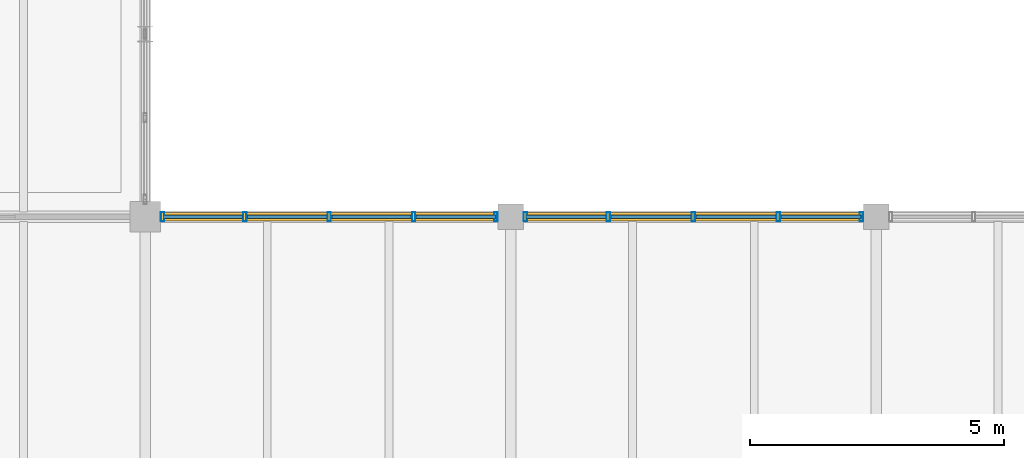
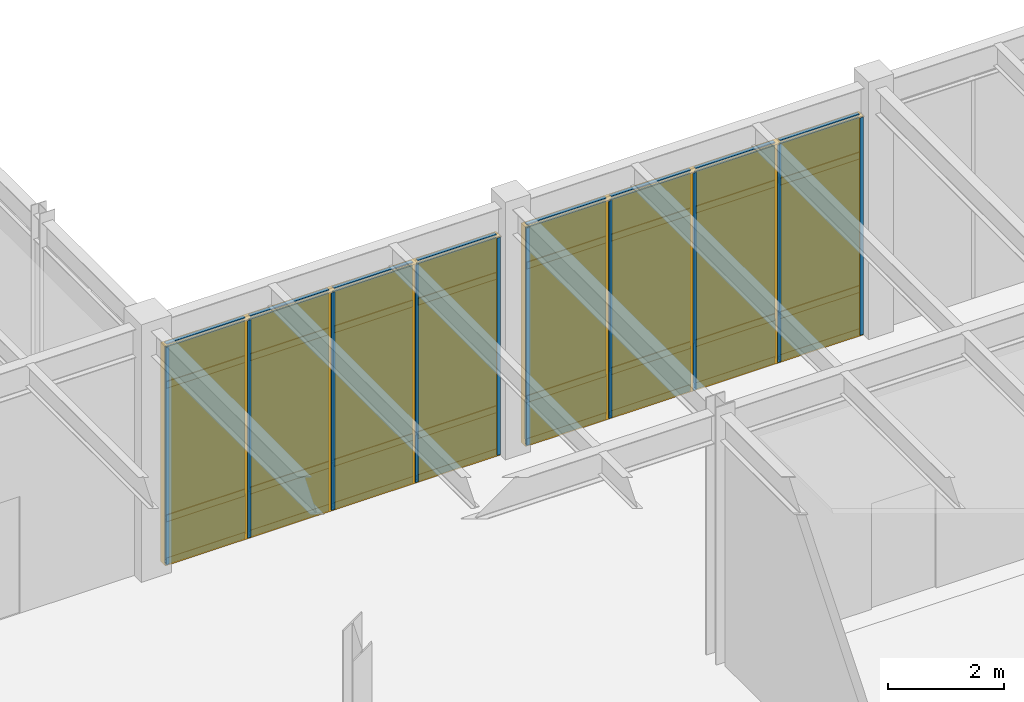
# One storey, part 77 of 97: 42 members, 16 plates, 2 curtain walls.
"""IFC4 building model written with IfcOpenShell, lengths in metres."""

from ifc_helpers import new_model, si_unit, direction, frame, origin, origin_2d, place, context, subcontext, project, spatial, rectangle, hollow_rectangle, extrude, material, layer, layer_set, material_profile, profile_set, type_object, element, aggregate, save


model = new_model("IFC4")

# Units and contexts
model_context = context("Model", 3, precision=1e-05, world=origin(), true_north=direction((0.0, 1.0)))
body_context = subcontext(model_context, "Body", "Model", "MODEL_VIEW")
ifc_project = project(units=[si_unit("LENGTHUNIT", "METRE"), si_unit("AREAUNIT", "SQUARE_METRE"), si_unit("VOLUMEUNIT", "CUBIC_METRE"), si_unit("PLANEANGLEUNIT", "RADIAN"), si_unit("MASSUNIT", "GRAM", prefix="KILO")], contexts=[model_context])

# Member
ifc_material_1 = material(Name="Anodized Aluminium 6063-T6", Category="aluminium")
ifc_material_profile_1 = material_profile(ifc_material_1, hollow_rectangle(XDim=0.06494140625, YDim=0.179931640625, WallThickness=0.00390625, at=origin_2d()), Name="ALU 65x180x4")
ifc_profile_set_1 = profile_set([ifc_material_profile_1], Name="Anodized Aluminium 6063-T6")
member_type_1 = type_object("IfcMemberType", Name="CWM-65X150", PredefinedType="MULLION", material=ifc_profile_set_1)
site_placement = place(None, origin())
building_placement = place(site_placement, origin())
storey_placement = place(building_placement, origin())
member_1_placement = place(storey_placement, frame((144.340087890625, 28.800048828125, 0.02001953125), z_axis=(0.0, 0.0, 1.0), x_axis=(1.0, 0.0, 0.0)))
member_1 = element("IfcMember", 1, at=member_1_placement, type_object=member_type_1, Name="Curtain wall mullion CW-L01-20-03-N-00", PredefinedType="MULLION", context=body_context, shape_type="SweptSolid", body=[
    extrude(hollow_rectangle(XDim=0.06494140625, YDim=0.179931640625, WallThickness=0.00390625, at=origin_2d()), origin(), (0.0, 0.0, 1.0), 4.557861328125),
])

member_2_placement = place(storey_placement, frame((145.96240234375, 28.800048828125, 0.02001953125), z_axis=(0.0, 0.0, 1.0), x_axis=(1.0, 0.0, 0.0)))
member_2 = element("IfcMember", 2, at=member_2_placement, type_object=member_type_1, Name="Curtain wall mullion CW-L01-20-03-N-01", PredefinedType="MULLION", context=body_context, shape_type="SweptSolid", body=[
    extrude(hollow_rectangle(XDim=0.06494140625, YDim=0.179931640625, WallThickness=0.00390625, at=origin_2d()), origin(), (0.0, 0.0, 1.0), 4.557861328125),
])

member_3_placement = place(storey_placement, frame((147.625, 28.800048828125, 0.02001953125), z_axis=(0.0, 0.0, 1.0), x_axis=(1.0, 0.0, 0.0)))
member_3 = element("IfcMember", 3, at=member_3_placement, type_object=member_type_1, Name="Curtain wall mullion CW-L01-20-03-N-02", PredefinedType="MULLION", context=body_context, shape_type="SweptSolid", body=[
    extrude(hollow_rectangle(XDim=0.06494140625, YDim=0.179931640625, WallThickness=0.00390625, at=origin_2d()), origin(), (0.0, 0.0, 1.0), 4.557861328125),
])

member_4_placement = place(storey_placement, frame((149.28759765625, 28.800048828125, 0.02001953125), z_axis=(0.0, 0.0, 1.0), x_axis=(1.0, 0.0, 0.0)))
member_4 = element("IfcMember", 4, at=member_4_placement, type_object=member_type_1, Name="Curtain wall mullion CW-L01-20-03-N-03", PredefinedType="MULLION", context=body_context, shape_type="SweptSolid", body=[
    extrude(hollow_rectangle(XDim=0.06494140625, YDim=0.179931640625, WallThickness=0.00390625, at=origin_2d()), origin(), (0.0, 0.0, 1.0), 4.557861328125),
])

member_5_placement = place(storey_placement, frame((150.909912109375, 28.800048828125, 0.02001953125), z_axis=(0.0, 0.0, 1.0), x_axis=(1.0, 0.0, 0.0)))
member_5 = element("IfcMember", 5, at=member_5_placement, type_object=member_type_1, Name="Curtain wall mullion CW-L01-20-03-N-04", PredefinedType="MULLION", context=body_context, shape_type="SweptSolid", body=[
    extrude(hollow_rectangle(XDim=0.06494140625, YDim=0.179931640625, WallThickness=0.00390625, at=origin_2d()), origin(), (0.0, 0.0, 1.0), 4.557861328125),
])

member_6_placement = place(storey_placement, frame((151.489990234375, 28.800048828125, 0.02001953125), z_axis=(0.0, 0.0, 1.0), x_axis=(1.0, 0.0, 0.0)))
member_6 = element("IfcMember", 6, at=member_6_placement, type_object=member_type_1, Name="Curtain wall mullion CW-L01-21-03-N-00", PredefinedType="MULLION", context=body_context, shape_type="SweptSolid", body=[
    extrude(hollow_rectangle(XDim=0.06494140625, YDim=0.179931640625, WallThickness=0.00390625, at=origin_2d()), origin(), (0.0, 0.0, 1.0), 4.557861328125),
])

member_7_placement = place(storey_placement, frame((153.125, 28.800048828125, 0.02001953125), z_axis=(0.0, 0.0, 1.0), x_axis=(1.0, 0.0, 0.0)))
member_7 = element("IfcMember", 7, at=member_7_placement, type_object=member_type_1, Name="Curtain wall mullion CW-L01-21-03-N-01", PredefinedType="MULLION", context=body_context, shape_type="SweptSolid", body=[
    extrude(hollow_rectangle(XDim=0.06494140625, YDim=0.179931640625, WallThickness=0.00390625, at=origin_2d()), origin(), (0.0, 0.0, 1.0), 4.557861328125),
])

member_8_placement = place(storey_placement, frame((154.800048828125, 28.800048828125, 0.02001953125), z_axis=(0.0, 0.0, 1.0), x_axis=(1.0, 0.0, 0.0)))
member_8 = element("IfcMember", 8, at=member_8_placement, type_object=member_type_1, Name="Curtain wall mullion CW-L01-21-03-N-02", PredefinedType="MULLION", context=body_context, shape_type="SweptSolid", body=[
    extrude(hollow_rectangle(XDim=0.06494140625, YDim=0.179931640625, WallThickness=0.00390625, at=origin_2d()), origin(), (0.0, 0.0, 1.0), 4.557861328125),
])

member_9_placement = place(storey_placement, frame((156.47509765625, 28.800048828125, 0.02001953125), z_axis=(0.0, 0.0, 1.0), x_axis=(1.0, 0.0, 0.0)))
member_9 = element("IfcMember", 9, at=member_9_placement, type_object=member_type_1, Name="Curtain wall mullion CW-L01-21-03-N-03", PredefinedType="MULLION", context=body_context, shape_type="SweptSolid", body=[
    extrude(hollow_rectangle(XDim=0.06494140625, YDim=0.179931640625, WallThickness=0.00390625, at=origin_2d()), origin(), (0.0, 0.0, 1.0), 4.557861328125),
])

member_10_placement = place(storey_placement, frame((158.110107421875, 28.800048828125, 0.02001953125), z_axis=(0.0, 0.0, 1.0), x_axis=(1.0, 0.0, 0.0)))
member_10 = element("IfcMember", 10, at=member_10_placement, type_object=member_type_1, Name="Curtain wall mullion CW-L01-21-03-N-04", PredefinedType="MULLION", context=body_context, shape_type="SweptSolid", body=[
    extrude(hollow_rectangle(XDim=0.06494140625, YDim=0.179931640625, WallThickness=0.00390625, at=origin_2d()), origin(), (0.0, 0.0, 1.0), 4.557861328125),
])

ifc_material_profile_2 = material_profile(ifc_material_1, hollow_rectangle(XDim=0.06494140625, YDim=0.139892578125, WallThickness=0.00390625, at=origin_2d()), Name="ALU 65x140x4")
ifc_profile_set_2 = profile_set([ifc_material_profile_2], Name="Anodized Aluminium 6063-T6")
member_type_2 = type_object("IfcMemberType", Name="CWT-65X120", PredefinedType="USERDEFINED", material=ifc_profile_set_2)
member_11_placement = place(storey_placement, frame((144.35009765625, 28.800048828125, 0.050048828125), z_axis=(1.0, 0.0, 0.0), x_axis=(0.0, 1.0, 0.0)))
member_11 = element("IfcMember", 11, at=member_11_placement, type_object=member_type_2, Name="Curtain wall transom CW-L01-20-03-N-1.01", ObjectType="TRANSOM", PredefinedType="USERDEFINED", context=body_context, shape_type="SweptSolid", body=[
    extrude(hollow_rectangle(XDim=0.06494140625, YDim=0.139892578125, WallThickness=0.00390625, at=origin_2d()), origin(), (0.0, 0.0, 1.0), 1.5625),
])

member_12_placement = place(storey_placement, frame((146.012451171875, 28.800048828125, 0.050048828125), z_axis=(1.0, 0.0, 0.0), x_axis=(0.0, 1.0, 0.0)))
member_12 = element("IfcMember", 12, at=member_12_placement, type_object=member_type_2, Name="Curtain wall transom CW-L01-20-03-N-1.02", ObjectType="TRANSOM", PredefinedType="USERDEFINED", context=body_context, shape_type="SweptSolid", body=[
    extrude(hollow_rectangle(XDim=0.06494140625, YDim=0.139892578125, WallThickness=0.00390625, at=origin_2d()), origin(), (0.0, 0.0, 1.0), 1.5625),
])

member_13_placement = place(storey_placement, frame((147.675048828125, 28.800048828125, 0.050048828125), z_axis=(1.0, 0.0, 0.0), x_axis=(0.0, 1.0, 0.0)))
member_13 = element("IfcMember", 13, at=member_13_placement, type_object=member_type_2, Name="Curtain wall transom CW-L01-20-03-N-1.03", ObjectType="TRANSOM", PredefinedType="USERDEFINED", context=body_context, shape_type="SweptSolid", body=[
    extrude(hollow_rectangle(XDim=0.06494140625, YDim=0.139892578125, WallThickness=0.00390625, at=origin_2d()), origin(), (0.0, 0.0, 1.0), 1.5625),
])

member_14_placement = place(storey_placement, frame((149.33740234375, 28.800048828125, 0.050048828125), z_axis=(1.0, 0.0, 0.0), x_axis=(0.0, 1.0, 0.0)))
member_14 = element("IfcMember", 14, at=member_14_placement, type_object=member_type_2, Name="Curtain wall transom CW-L01-20-03-N-1.04", ObjectType="TRANSOM", PredefinedType="USERDEFINED", context=body_context, shape_type="SweptSolid", body=[
    extrude(hollow_rectangle(XDim=0.06494140625, YDim=0.139892578125, WallThickness=0.00390625, at=origin_2d()), origin(), (0.0, 0.0, 1.0), 1.5625),
])

member_15_placement = place(storey_placement, frame((144.35009765625, 28.800048828125, 0.949951171875), z_axis=(1.0, 0.0, 0.0), x_axis=(0.0, 1.0, 0.0)))
member_15 = element("IfcMember", 15, at=member_15_placement, type_object=member_type_2, Name="Curtain wall transom CW-L01-20-03-N-2.01", ObjectType="TRANSOM", PredefinedType="USERDEFINED", context=body_context, shape_type="SweptSolid", body=[
    extrude(hollow_rectangle(XDim=0.06494140625, YDim=0.139892578125, WallThickness=0.00390625, at=origin_2d()), origin(), (0.0, 0.0, 1.0), 1.5625),
])

member_16_placement = place(storey_placement, frame((146.012451171875, 28.800048828125, 0.949951171875), z_axis=(1.0, 0.0, 0.0), x_axis=(0.0, 1.0, 0.0)))
member_16 = element("IfcMember", 16, at=member_16_placement, type_object=member_type_2, Name="Curtain wall transom CW-L01-20-03-N-2.02", ObjectType="TRANSOM", PredefinedType="USERDEFINED", context=body_context, shape_type="SweptSolid", body=[
    extrude(hollow_rectangle(XDim=0.06494140625, YDim=0.139892578125, WallThickness=0.00390625, at=origin_2d()), origin(), (0.0, 0.0, 1.0), 1.5625),
])

member_17_placement = place(storey_placement, frame((147.675048828125, 28.800048828125, 0.949951171875), z_axis=(1.0, 0.0, 0.0), x_axis=(0.0, 1.0, 0.0)))
member_17 = element("IfcMember", 17, at=member_17_placement, type_object=member_type_2, Name="Curtain wall transom CW-L01-20-03-N-2.03", ObjectType="TRANSOM", PredefinedType="USERDEFINED", context=body_context, shape_type="SweptSolid", body=[
    extrude(hollow_rectangle(XDim=0.06494140625, YDim=0.139892578125, WallThickness=0.00390625, at=origin_2d()), origin(), (0.0, 0.0, 1.0), 1.5625),
])

member_18_placement = place(storey_placement, frame((149.33740234375, 28.800048828125, 0.949951171875), z_axis=(1.0, 0.0, 0.0), x_axis=(0.0, 1.0, 0.0)))
member_18 = element("IfcMember", 18, at=member_18_placement, type_object=member_type_2, Name="Curtain wall transom CW-L01-20-03-N-2.04", ObjectType="TRANSOM", PredefinedType="USERDEFINED", context=body_context, shape_type="SweptSolid", body=[
    extrude(hollow_rectangle(XDim=0.06494140625, YDim=0.139892578125, WallThickness=0.00390625, at=origin_2d()), origin(), (0.0, 0.0, 1.0), 1.5625),
])

member_19_placement = place(storey_placement, frame((144.35009765625, 28.800048828125, 3.748046875), z_axis=(1.0, 0.0, 0.0), x_axis=(0.0, 1.0, 0.0)))
member_19 = element("IfcMember", 19, at=member_19_placement, type_object=member_type_2, Name="Curtain wall transom CW-L01-20-03-N-3.01", ObjectType="TRANSOM", PredefinedType="USERDEFINED", context=body_context, shape_type="SweptSolid", body=[
    extrude(hollow_rectangle(XDim=0.06494140625, YDim=0.139892578125, WallThickness=0.00390625, at=origin_2d()), origin(), (0.0, 0.0, 1.0), 1.5625),
])

member_20_placement = place(storey_placement, frame((146.012451171875, 28.800048828125, 3.748046875), z_axis=(1.0, 0.0, 0.0), x_axis=(0.0, 1.0, 0.0)))
member_20 = element("IfcMember", 20, at=member_20_placement, type_object=member_type_2, Name="Curtain wall transom CW-L01-20-03-N-3.02", ObjectType="TRANSOM", PredefinedType="USERDEFINED", context=body_context, shape_type="SweptSolid", body=[
    extrude(hollow_rectangle(XDim=0.06494140625, YDim=0.139892578125, WallThickness=0.00390625, at=origin_2d()), origin(), (0.0, 0.0, 1.0), 1.5625),
])

member_21_placement = place(storey_placement, frame((147.675048828125, 28.800048828125, 3.748046875), z_axis=(1.0, 0.0, 0.0), x_axis=(0.0, 1.0, 0.0)))
member_21 = element("IfcMember", 21, at=member_21_placement, type_object=member_type_2, Name="Curtain wall transom CW-L01-20-03-N-3.03", ObjectType="TRANSOM", PredefinedType="USERDEFINED", context=body_context, shape_type="SweptSolid", body=[
    extrude(hollow_rectangle(XDim=0.06494140625, YDim=0.139892578125, WallThickness=0.00390625, at=origin_2d()), origin(), (0.0, 0.0, 1.0), 1.5625),
])

member_22_placement = place(storey_placement, frame((149.33740234375, 28.800048828125, 3.748046875), z_axis=(1.0, 0.0, 0.0), x_axis=(0.0, 1.0, 0.0)))
member_22 = element("IfcMember", 22, at=member_22_placement, type_object=member_type_2, Name="Curtain wall transom CW-L01-20-03-N-3.04", ObjectType="TRANSOM", PredefinedType="USERDEFINED", context=body_context, shape_type="SweptSolid", body=[
    extrude(hollow_rectangle(XDim=0.06494140625, YDim=0.139892578125, WallThickness=0.00390625, at=origin_2d()), origin(), (0.0, 0.0, 1.0), 1.5625),
])

member_23_placement = place(storey_placement, frame((144.35009765625, 28.800048828125, 4.548095703125), z_axis=(1.0, 0.0, 0.0), x_axis=(0.0, 1.0, 0.0)))
member_23 = element("IfcMember", 23, at=member_23_placement, type_object=member_type_2, Name="Curtain wall transom CW-L01-20-03-N-4.01", ObjectType="TRANSOM", PredefinedType="USERDEFINED", context=body_context, shape_type="SweptSolid", body=[
    extrude(hollow_rectangle(XDim=0.06494140625, YDim=0.139892578125, WallThickness=0.00390625, at=origin_2d()), origin(), (0.0, 0.0, 1.0), 1.5625),
])

member_24_placement = place(storey_placement, frame((146.012451171875, 28.800048828125, 4.548095703125), z_axis=(1.0, 0.0, 0.0), x_axis=(0.0, 1.0, 0.0)))
member_24 = element("IfcMember", 24, at=member_24_placement, type_object=member_type_2, Name="Curtain wall transom CW-L01-20-03-N-4.02", ObjectType="TRANSOM", PredefinedType="USERDEFINED", context=body_context, shape_type="SweptSolid", body=[
    extrude(hollow_rectangle(XDim=0.06494140625, YDim=0.139892578125, WallThickness=0.00390625, at=origin_2d()), origin(), (0.0, 0.0, 1.0), 1.5625),
])

member_25_placement = place(storey_placement, frame((147.675048828125, 28.800048828125, 4.548095703125), z_axis=(1.0, 0.0, 0.0), x_axis=(0.0, 1.0, 0.0)))
member_25 = element("IfcMember", 25, at=member_25_placement, type_object=member_type_2, Name="Curtain wall transom CW-L01-20-03-N-4.03", ObjectType="TRANSOM", PredefinedType="USERDEFINED", context=body_context, shape_type="SweptSolid", body=[
    extrude(hollow_rectangle(XDim=0.06494140625, YDim=0.139892578125, WallThickness=0.00390625, at=origin_2d()), origin(), (0.0, 0.0, 1.0), 1.5625),
])

member_26_placement = place(storey_placement, frame((149.33740234375, 28.800048828125, 4.548095703125), z_axis=(1.0, 0.0, 0.0), x_axis=(0.0, 1.0, 0.0)))
member_26 = element("IfcMember", 26, at=member_26_placement, type_object=member_type_2, Name="Curtain wall transom CW-L01-20-03-N-4.04", ObjectType="TRANSOM", PredefinedType="USERDEFINED", context=body_context, shape_type="SweptSolid", body=[
    extrude(hollow_rectangle(XDim=0.06494140625, YDim=0.139892578125, WallThickness=0.00390625, at=origin_2d()), origin(), (0.0, 0.0, 1.0), 1.5625),
])

member_27_placement = place(storey_placement, frame((151.5, 28.800048828125, 0.050048828125), z_axis=(1.0, 0.0, 0.0), x_axis=(0.0, 1.0, 0.0)))
member_27 = element("IfcMember", 27, at=member_27_placement, type_object=member_type_2, Name="Curtain wall transom CW-L01-21-03-N-1.01", ObjectType="TRANSOM", PredefinedType="USERDEFINED", context=body_context, shape_type="SweptSolid", body=[
    extrude(hollow_rectangle(XDim=0.06494140625, YDim=0.139892578125, WallThickness=0.00390625, at=origin_2d()), origin(), (0.0, 0.0, 1.0), 1.574951171875),
])

member_28_placement = place(storey_placement, frame((153.175048828125, 28.800048828125, 0.050048828125), z_axis=(1.0, 0.0, 0.0), x_axis=(0.0, 1.0, 0.0)))
member_28 = element("IfcMember", 28, at=member_28_placement, type_object=member_type_2, Name="Curtain wall transom CW-L01-21-03-N-1.02", ObjectType="TRANSOM", PredefinedType="USERDEFINED", context=body_context, shape_type="SweptSolid", body=[
    extrude(hollow_rectangle(XDim=0.06494140625, YDim=0.139892578125, WallThickness=0.00390625, at=origin_2d()), origin(), (0.0, 0.0, 1.0), 1.574951171875),
])

member_29_placement = place(storey_placement, frame((154.85009765625, 28.800048828125, 0.050048828125), z_axis=(1.0, 0.0, 0.0), x_axis=(0.0, 1.0, 0.0)))
member_29 = element("IfcMember", 29, at=member_29_placement, type_object=member_type_2, Name="Curtain wall transom CW-L01-21-03-N-1.03", ObjectType="TRANSOM", PredefinedType="USERDEFINED", context=body_context, shape_type="SweptSolid", body=[
    extrude(hollow_rectangle(XDim=0.06494140625, YDim=0.139892578125, WallThickness=0.00390625, at=origin_2d()), origin(), (0.0, 0.0, 1.0), 1.574951171875),
])

member_30_placement = place(storey_placement, frame((156.52490234375, 28.800048828125, 0.050048828125), z_axis=(1.0, 0.0, 0.0), x_axis=(0.0, 1.0, 0.0)))
member_30 = element("IfcMember", 30, at=member_30_placement, type_object=member_type_2, Name="Curtain wall transom CW-L01-21-03-N-1.04", ObjectType="TRANSOM", PredefinedType="USERDEFINED", context=body_context, shape_type="SweptSolid", body=[
    extrude(hollow_rectangle(XDim=0.06494140625, YDim=0.139892578125, WallThickness=0.00390625, at=origin_2d()), origin(), (0.0, 0.0, 1.0), 1.5751953125),
])

member_31_placement = place(storey_placement, frame((151.5, 28.800048828125, 0.949951171875), z_axis=(1.0, 0.0, 0.0), x_axis=(0.0, 1.0, 0.0)))
member_31 = element("IfcMember", 31, at=member_31_placement, type_object=member_type_2, Name="Curtain wall transom CW-L01-21-03-N-2.01", ObjectType="TRANSOM", PredefinedType="USERDEFINED", context=body_context, shape_type="SweptSolid", body=[
    extrude(hollow_rectangle(XDim=0.06494140625, YDim=0.139892578125, WallThickness=0.00390625, at=origin_2d()), origin(), (0.0, 0.0, 1.0), 1.574951171875),
])

member_32_placement = place(storey_placement, frame((153.175048828125, 28.800048828125, 0.949951171875), z_axis=(1.0, 0.0, 0.0), x_axis=(0.0, 1.0, 0.0)))
member_32 = element("IfcMember", 32, at=member_32_placement, type_object=member_type_2, Name="Curtain wall transom CW-L01-21-03-N-2.02", ObjectType="TRANSOM", PredefinedType="USERDEFINED", context=body_context, shape_type="SweptSolid", body=[
    extrude(hollow_rectangle(XDim=0.06494140625, YDim=0.139892578125, WallThickness=0.00390625, at=origin_2d()), origin(), (0.0, 0.0, 1.0), 1.574951171875),
])

member_33_placement = place(storey_placement, frame((154.85009765625, 28.800048828125, 0.949951171875), z_axis=(1.0, 0.0, 0.0), x_axis=(0.0, 1.0, 0.0)))
member_33 = element("IfcMember", 33, at=member_33_placement, type_object=member_type_2, Name="Curtain wall transom CW-L01-21-03-N-2.03", ObjectType="TRANSOM", PredefinedType="USERDEFINED", context=body_context, shape_type="SweptSolid", body=[
    extrude(hollow_rectangle(XDim=0.06494140625, YDim=0.139892578125, WallThickness=0.00390625, at=origin_2d()), origin(), (0.0, 0.0, 1.0), 1.574951171875),
])

member_34_placement = place(storey_placement, frame((156.52490234375, 28.800048828125, 0.949951171875), z_axis=(1.0, 0.0, 0.0), x_axis=(0.0, 1.0, 0.0)))
member_34 = element("IfcMember", 34, at=member_34_placement, type_object=member_type_2, Name="Curtain wall transom CW-L01-21-03-N-2.04", ObjectType="TRANSOM", PredefinedType="USERDEFINED", context=body_context, shape_type="SweptSolid", body=[
    extrude(hollow_rectangle(XDim=0.06494140625, YDim=0.139892578125, WallThickness=0.00390625, at=origin_2d()), origin(), (0.0, 0.0, 1.0), 1.5751953125),
])

member_35_placement = place(storey_placement, frame((151.5, 28.800048828125, 3.748046875), z_axis=(1.0, 0.0, 0.0), x_axis=(0.0, 1.0, 0.0)))
member_35 = element("IfcMember", 35, at=member_35_placement, type_object=member_type_2, Name="Curtain wall transom CW-L01-21-03-N-3.01", ObjectType="TRANSOM", PredefinedType="USERDEFINED", context=body_context, shape_type="SweptSolid", body=[
    extrude(hollow_rectangle(XDim=0.06494140625, YDim=0.139892578125, WallThickness=0.00390625, at=origin_2d()), origin(), (0.0, 0.0, 1.0), 1.574951171875),
])

member_36_placement = place(storey_placement, frame((153.175048828125, 28.800048828125, 3.748046875), z_axis=(1.0, 0.0, 0.0), x_axis=(0.0, 1.0, 0.0)))
member_36 = element("IfcMember", 36, at=member_36_placement, type_object=member_type_2, Name="Curtain wall transom CW-L01-21-03-N-3.02", ObjectType="TRANSOM", PredefinedType="USERDEFINED", context=body_context, shape_type="SweptSolid", body=[
    extrude(hollow_rectangle(XDim=0.06494140625, YDim=0.139892578125, WallThickness=0.00390625, at=origin_2d()), origin(), (0.0, 0.0, 1.0), 1.574951171875),
])

member_37_placement = place(storey_placement, frame((154.85009765625, 28.800048828125, 3.748046875), z_axis=(1.0, 0.0, 0.0), x_axis=(0.0, 1.0, 0.0)))
member_37 = element("IfcMember", 37, at=member_37_placement, type_object=member_type_2, Name="Curtain wall transom CW-L01-21-03-N-3.03", ObjectType="TRANSOM", PredefinedType="USERDEFINED", context=body_context, shape_type="SweptSolid", body=[
    extrude(hollow_rectangle(XDim=0.06494140625, YDim=0.139892578125, WallThickness=0.00390625, at=origin_2d()), origin(), (0.0, 0.0, 1.0), 1.574951171875),
])

member_38_placement = place(storey_placement, frame((156.52490234375, 28.800048828125, 3.748046875), z_axis=(1.0, 0.0, 0.0), x_axis=(0.0, 1.0, 0.0)))
member_38 = element("IfcMember", 38, at=member_38_placement, type_object=member_type_2, Name="Curtain wall transom CW-L01-21-03-N-3.04", ObjectType="TRANSOM", PredefinedType="USERDEFINED", context=body_context, shape_type="SweptSolid", body=[
    extrude(hollow_rectangle(XDim=0.06494140625, YDim=0.139892578125, WallThickness=0.00390625, at=origin_2d()), origin(), (0.0, 0.0, 1.0), 1.5751953125),
])

member_39_placement = place(storey_placement, frame((151.5, 28.800048828125, 4.548095703125), z_axis=(1.0, 0.0, 0.0), x_axis=(0.0, 1.0, 0.0)))
member_39 = element("IfcMember", 39, at=member_39_placement, type_object=member_type_2, Name="Curtain wall transom CW-L01-21-03-N-4.01", ObjectType="TRANSOM", PredefinedType="USERDEFINED", context=body_context, shape_type="SweptSolid", body=[
    extrude(hollow_rectangle(XDim=0.06494140625, YDim=0.139892578125, WallThickness=0.00390625, at=origin_2d()), origin(), (0.0, 0.0, 1.0), 1.574951171875),
])

member_40_placement = place(storey_placement, frame((153.175048828125, 28.800048828125, 4.548095703125), z_axis=(1.0, 0.0, 0.0), x_axis=(0.0, 1.0, 0.0)))
member_40 = element("IfcMember", 40, at=member_40_placement, type_object=member_type_2, Name="Curtain wall transom CW-L01-21-03-N-4.02", ObjectType="TRANSOM", PredefinedType="USERDEFINED", context=body_context, shape_type="SweptSolid", body=[
    extrude(hollow_rectangle(XDim=0.06494140625, YDim=0.139892578125, WallThickness=0.00390625, at=origin_2d()), origin(), (0.0, 0.0, 1.0), 1.574951171875),
])

member_41_placement = place(storey_placement, frame((154.85009765625, 28.800048828125, 4.548095703125), z_axis=(1.0, 0.0, 0.0), x_axis=(0.0, 1.0, 0.0)))
member_41 = element("IfcMember", 41, at=member_41_placement, type_object=member_type_2, Name="Curtain wall transom CW-L01-21-03-N-4.03", ObjectType="TRANSOM", PredefinedType="USERDEFINED", context=body_context, shape_type="SweptSolid", body=[
    extrude(hollow_rectangle(XDim=0.06494140625, YDim=0.139892578125, WallThickness=0.00390625, at=origin_2d()), origin(), (0.0, 0.0, 1.0), 1.574951171875),
])

member_42_placement = place(storey_placement, frame((156.52490234375, 28.800048828125, 4.548095703125), z_axis=(1.0, 0.0, 0.0), x_axis=(0.0, 1.0, 0.0)))
member_42 = element("IfcMember", 42, at=member_42_placement, type_object=member_type_2, Name="Curtain wall transom CW-L01-21-03-N-4.04", ObjectType="TRANSOM", PredefinedType="USERDEFINED", context=body_context, shape_type="SweptSolid", body=[
    extrude(hollow_rectangle(XDim=0.06494140625, YDim=0.139892578125, WallThickness=0.00390625, at=origin_2d()), origin(), (0.0, 0.0, 1.0), 1.5751953125),
])

# Plate
ifc_material_2 = material(Name="Double Low-E Insulated Glazing Unit", Category="glass")
ifc_layer_1 = layer(ifc_material_2, 0.0380859375)
ifc_layer_set_1 = layer_set([ifc_layer_1], Name="Double Low-E Insulated Glazing Unit")
plate_type_1 = type_object("IfcPlateType", Name="CWP-IGU-38", PredefinedType="CURTAIN_PANEL", material=ifc_layer_set_1)
plate_1_placement = place(storey_placement, frame((145.13134765625, 28.800048828125, 0.98974609375), z_axis=(0.0, 0.0, 1.0), x_axis=(1.0, 0.0, 0.0)))
plate_1 = element("IfcPlate", 43, at=plate_1_placement, type_object=plate_type_1, Name="Curtain wall vision glazing CW-L01-20-03-N-01", PredefinedType="CURTAIN_PANEL", context=body_context, shape_type="SweptSolid", body=[
    extrude(rectangle(XDim=1.572509765625, YDim=0.0400390625, at=origin_2d()), origin(), (0.0, 0.0, 1.0), 3.548095703125),
])

plate_2_placement = place(storey_placement, frame((146.793701171875, 28.800048828125, 0.98974609375), z_axis=(0.0, 0.0, 1.0), x_axis=(1.0, 0.0, 0.0)))
plate_2 = element("IfcPlate", 44, at=plate_2_placement, type_object=plate_type_1, Name="Curtain wall vision glazing CW-L01-20-03-N-02", PredefinedType="CURTAIN_PANEL", context=body_context, shape_type="SweptSolid", body=[
    extrude(rectangle(XDim=1.572509765625, YDim=0.0400390625, at=origin_2d()), origin(), (0.0, 0.0, 1.0), 3.548095703125),
])

plate_3_placement = place(storey_placement, frame((148.456298828125, 28.800048828125, 0.98974609375), z_axis=(0.0, 0.0, 1.0), x_axis=(1.0, 0.0, 0.0)))
plate_3 = element("IfcPlate", 45, at=plate_3_placement, type_object=plate_type_1, Name="Curtain wall vision glazing CW-L01-20-03-N-03", PredefinedType="CURTAIN_PANEL", context=body_context, shape_type="SweptSolid", body=[
    extrude(rectangle(XDim=1.572509765625, YDim=0.0400390625, at=origin_2d()), origin(), (0.0, 0.0, 1.0), 3.548095703125),
])

plate_4_placement = place(storey_placement, frame((150.11865234375, 28.800048828125, 0.98974609375), z_axis=(0.0, 0.0, 1.0), x_axis=(1.0, 0.0, 0.0)))
plate_4 = element("IfcPlate", 46, at=plate_4_placement, type_object=plate_type_1, Name="Curtain wall vision glazing CW-L01-20-03-N-04", PredefinedType="CURTAIN_PANEL", context=body_context, shape_type="SweptSolid", body=[
    extrude(rectangle(XDim=1.572509765625, YDim=0.0400390625, at=origin_2d()), origin(), (0.0, 0.0, 1.0), 3.548095703125),
])

plate_5_placement = place(storey_placement, frame((152.28759765625, 28.800048828125, 0.98974609375), z_axis=(0.0, 0.0, 1.0), x_axis=(1.0, 0.0, 0.0)))
plate_5 = element("IfcPlate", 47, at=plate_5_placement, type_object=plate_type_1, Name="Curtain wall vision glazing CW-L01-21-03-N-01", PredefinedType="CURTAIN_PANEL", context=body_context, shape_type="SweptSolid", body=[
    extrude(rectangle(XDim=1.5849609375, YDim=0.0400390625, at=origin_2d()), origin(), (0.0, 0.0, 1.0), 3.548095703125),
])

plate_6_placement = place(storey_placement, frame((153.96240234375, 28.800048828125, 0.98974609375), z_axis=(0.0, 0.0, 1.0), x_axis=(1.0, 0.0, 0.0)))
plate_6 = element("IfcPlate", 48, at=plate_6_placement, type_object=plate_type_1, Name="Curtain wall vision glazing CW-L01-21-03-N-02", PredefinedType="CURTAIN_PANEL", context=body_context, shape_type="SweptSolid", body=[
    extrude(rectangle(XDim=1.5849609375, YDim=0.0400390625, at=origin_2d()), origin(), (0.0, 0.0, 1.0), 3.548095703125),
])

plate_7_placement = place(storey_placement, frame((155.637451171875, 28.800048828125, 0.98974609375), z_axis=(0.0, 0.0, 1.0), x_axis=(1.0, 0.0, 0.0)))
plate_7 = element("IfcPlate", 49, at=plate_7_placement, type_object=plate_type_1, Name="Curtain wall vision glazing CW-L01-21-03-N-03", PredefinedType="CURTAIN_PANEL", context=body_context, shape_type="SweptSolid", body=[
    extrude(rectangle(XDim=1.5849609375, YDim=0.0400390625, at=origin_2d()), origin(), (0.0, 0.0, 1.0), 3.548095703125),
])

plate_8_placement = place(storey_placement, frame((157.3125, 28.800048828125, 0.98974609375), z_axis=(0.0, 0.0, 1.0), x_axis=(1.0, 0.0, 0.0)))
plate_8 = element("IfcPlate", 50, at=plate_8_placement, type_object=plate_type_1, Name="Curtain wall vision glazing CW-L01-21-03-N-04", PredefinedType="CURTAIN_PANEL", context=body_context, shape_type="SweptSolid", body=[
    extrude(rectangle(XDim=1.5849609375, YDim=0.0400390625, at=origin_2d()), origin(), (0.0, 0.0, 1.0), 3.548095703125),
])

ifc_material_3 = material(Name="Insulated Bronze Aluminium Spandrel", Category="aluminium")
ifc_layer_2 = layer(ifc_material_3, 0.06005859375)
ifc_layer_set_2 = layer_set([ifc_layer_2], Name="Insulated Bronze Aluminium Spandrel")
plate_type_2 = type_object("IfcPlateType", Name="CWP-SPN-60", PredefinedType="CURTAIN_PANEL", material=ifc_layer_set_2)
plate_9_placement = place(storey_placement, frame((145.13134765625, 28.800048828125, 0.080078125), z_axis=(0.0, 0.0, 1.0), x_axis=(1.0, 0.0, 0.0)))
plate_9 = element("IfcPlate", 51, at=plate_9_placement, type_object=plate_type_2, Name="Curtain wall spandrel panel CW-L01-20-03-N-01", PredefinedType="CURTAIN_PANEL", context=body_context, shape_type="SweptSolid", body=[
    extrude(rectangle(XDim=1.572509765625, YDim=0.06005859375, at=origin_2d()), origin(), (0.0, 0.0, 1.0), 0.840087890625),
])

plate_10_placement = place(storey_placement, frame((146.793701171875, 28.800048828125, 0.080078125), z_axis=(0.0, 0.0, 1.0), x_axis=(1.0, 0.0, 0.0)))
plate_10 = element("IfcPlate", 52, at=plate_10_placement, type_object=plate_type_2, Name="Curtain wall spandrel panel CW-L01-20-03-N-02", PredefinedType="CURTAIN_PANEL", context=body_context, shape_type="SweptSolid", body=[
    extrude(rectangle(XDim=1.572509765625, YDim=0.06005859375, at=origin_2d()), origin(), (0.0, 0.0, 1.0), 0.840087890625),
])

plate_11_placement = place(storey_placement, frame((148.456298828125, 28.800048828125, 0.080078125), z_axis=(0.0, 0.0, 1.0), x_axis=(1.0, 0.0, 0.0)))
plate_11 = element("IfcPlate", 53, at=plate_11_placement, type_object=plate_type_2, Name="Curtain wall spandrel panel CW-L01-20-03-N-03", PredefinedType="CURTAIN_PANEL", context=body_context, shape_type="SweptSolid", body=[
    extrude(rectangle(XDim=1.572509765625, YDim=0.06005859375, at=origin_2d()), origin(), (0.0, 0.0, 1.0), 0.840087890625),
])

plate_12_placement = place(storey_placement, frame((150.11865234375, 28.800048828125, 0.080078125), z_axis=(0.0, 0.0, 1.0), x_axis=(1.0, 0.0, 0.0)))
plate_12 = element("IfcPlate", 54, at=plate_12_placement, type_object=plate_type_2, Name="Curtain wall spandrel panel CW-L01-20-03-N-04", PredefinedType="CURTAIN_PANEL", context=body_context, shape_type="SweptSolid", body=[
    extrude(rectangle(XDim=1.572509765625, YDim=0.06005859375, at=origin_2d()), origin(), (0.0, 0.0, 1.0), 0.840087890625),
])

plate_13_placement = place(storey_placement, frame((152.28759765625, 28.800048828125, 0.080078125), z_axis=(0.0, 0.0, 1.0), x_axis=(1.0, 0.0, 0.0)))
plate_13 = element("IfcPlate", 55, at=plate_13_placement, type_object=plate_type_2, Name="Curtain wall spandrel panel CW-L01-21-03-N-01", PredefinedType="CURTAIN_PANEL", context=body_context, shape_type="SweptSolid", body=[
    extrude(rectangle(XDim=1.5849609375, YDim=0.06005859375, at=origin_2d()), origin(), (0.0, 0.0, 1.0), 0.840087890625),
])

plate_14_placement = place(storey_placement, frame((153.96240234375, 28.800048828125, 0.080078125), z_axis=(0.0, 0.0, 1.0), x_axis=(1.0, 0.0, 0.0)))
plate_14 = element("IfcPlate", 56, at=plate_14_placement, type_object=plate_type_2, Name="Curtain wall spandrel panel CW-L01-21-03-N-02", PredefinedType="CURTAIN_PANEL", context=body_context, shape_type="SweptSolid", body=[
    extrude(rectangle(XDim=1.5849609375, YDim=0.06005859375, at=origin_2d()), origin(), (0.0, 0.0, 1.0), 0.840087890625),
])

plate_15_placement = place(storey_placement, frame((155.637451171875, 28.800048828125, 0.080078125), z_axis=(0.0, 0.0, 1.0), x_axis=(1.0, 0.0, 0.0)))
plate_15 = element("IfcPlate", 57, at=plate_15_placement, type_object=plate_type_2, Name="Curtain wall spandrel panel CW-L01-21-03-N-03", PredefinedType="CURTAIN_PANEL", context=body_context, shape_type="SweptSolid", body=[
    extrude(rectangle(XDim=1.5849609375, YDim=0.06005859375, at=origin_2d()), origin(), (0.0, 0.0, 1.0), 0.840087890625),
])

plate_16_placement = place(storey_placement, frame((157.3125, 28.800048828125, 0.080078125), z_axis=(0.0, 0.0, 1.0), x_axis=(1.0, 0.0, 0.0)))
plate_16 = element("IfcPlate", 58, at=plate_16_placement, type_object=plate_type_2, Name="Curtain wall spandrel panel CW-L01-21-03-N-04", PredefinedType="CURTAIN_PANEL", context=body_context, shape_type="SweptSolid", body=[
    extrude(rectangle(XDim=1.5849609375, YDim=0.06005859375, at=origin_2d()), origin(), (0.0, 0.0, 1.0), 0.840087890625),
])

# Site, building, storey
site = spatial("IfcSite", under=ifc_project, at=site_placement, CompositionType="ELEMENT")
building = spatial("IfcBuilding", under=site, at=building_placement, Name="Sillqori Civic Hall", CompositionType="ELEMENT")
storey = spatial("IfcBuildingStorey", under=building, at=storey_placement, Name="L01", CompositionType="ELEMENT", Elevation=0.0)

# Curtain wall
ifc_material_4 = material(Name="Anodized Aluminium Curtain Wall System", Category="aluminium")
curtain_wall_type = type_object("IfcCurtainWallType", Name="CW-SF-540", PredefinedType="NOTDEFINED", material=ifc_material_4)
curtain_wall_1_placement = place(storey_placement, frame((147.625, 28.800048828125, 0.0), z_axis=(0.0, 0.0, 1.0), x_axis=(1.0, 0.0, 0.0)))
curtain_wall_1 = element("IfcCurtainWall", 59, at=curtain_wall_1_placement, inside=storey, type_object=curtain_wall_type, Name="L01 unitised curtain wall CW-L01-20-03-N", PredefinedType="NOTDEFINED", context=body_context, shape_type="SweptSolid", body=[
    extrude(rectangle(XDim=6.64990234375, YDim=0.159912109375, at=origin_2d()), origin(), (0.0, 0.0, 1.0), 4.597900390625),
])

aggregate(curtain_wall_1, [member_1, member_2, member_3, member_4, member_5, member_11, member_12, member_13, member_14, member_15, member_16, member_17, member_18, member_19, member_20, member_21, member_22, member_23, member_24, member_25, member_26, plate_9, plate_1, plate_10, plate_2, plate_11, plate_3, plate_12, plate_4])

curtain_wall_2_placement = place(storey_placement, frame((154.800048828125, 28.800048828125, 0.0), z_axis=(0.0, 0.0, 1.0), x_axis=(1.0, 0.0, 0.0)))
curtain_wall_2 = element("IfcCurtainWall", 60, at=curtain_wall_2_placement, inside=storey, type_object=curtain_wall_type, Name="L01 unitised curtain wall CW-L01-21-03-N", PredefinedType="NOTDEFINED", context=body_context, shape_type="SweptSolid", body=[
    extrude(rectangle(XDim=6.699951171875, YDim=0.159912109375, at=origin_2d()), origin(), (0.0, 0.0, 1.0), 4.597900390625),
])

aggregate(curtain_wall_2, [member_6, member_7, member_8, member_9, member_10, member_27, member_28, member_29, member_30, member_31, member_32, member_33, member_34, member_35, member_36, member_37, member_38, member_39, member_40, member_41, member_42, plate_13, plate_5, plate_14, plate_6, plate_15, plate_7, plate_16, plate_8])

save(model, "model.ifc")
